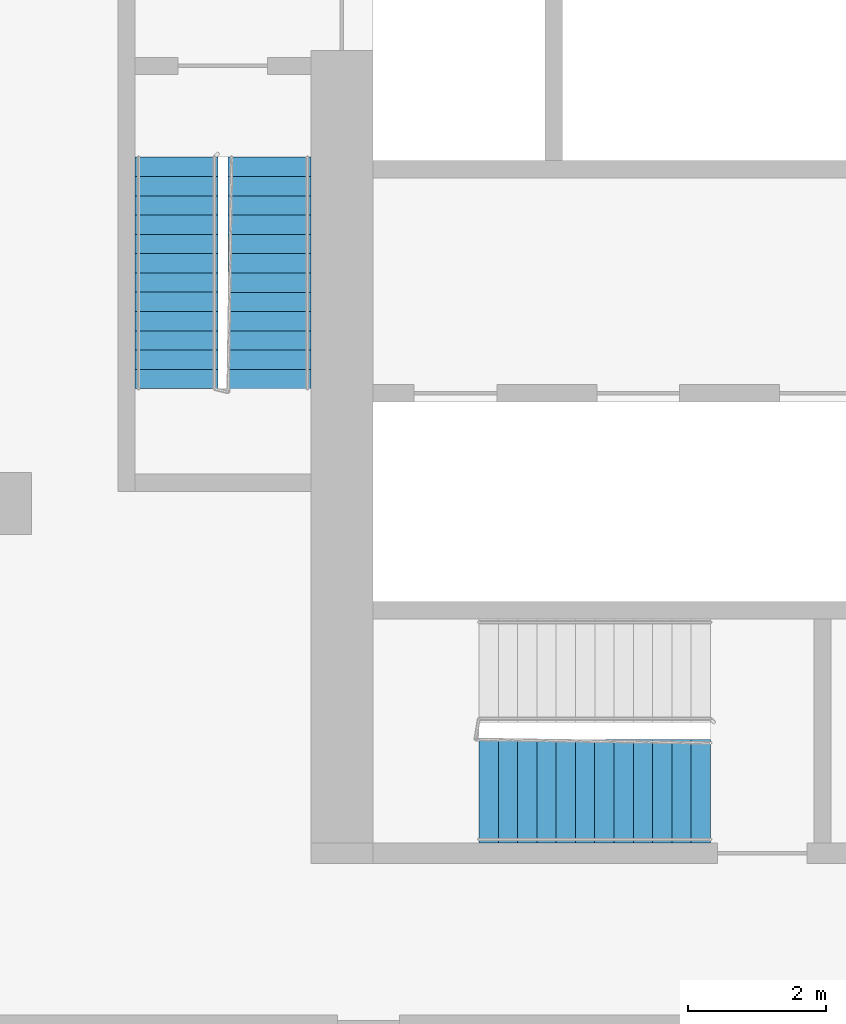
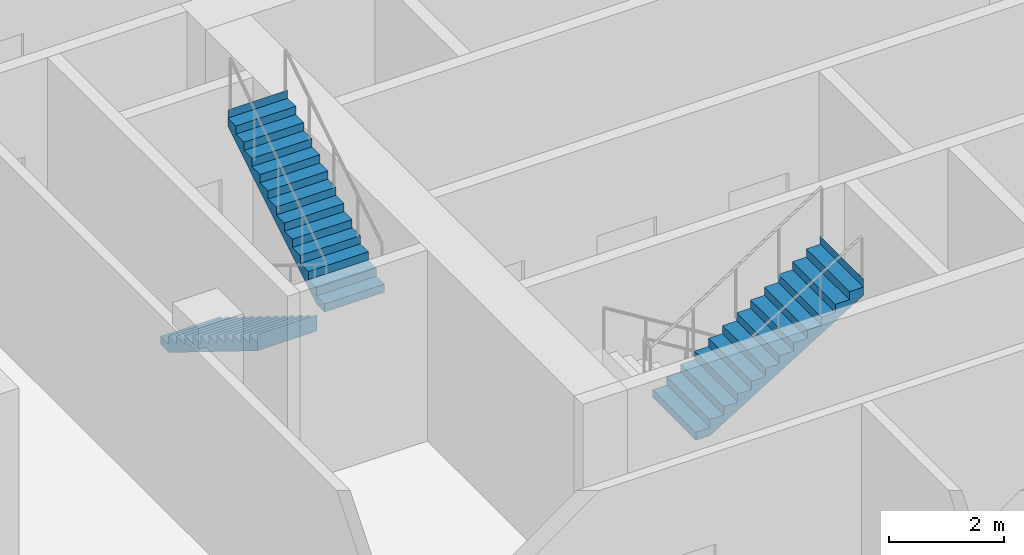
# One storey, part 12 of 19: 3 stair flights, 2 elements without a shape of their own.
"""IFC4 building model written with IfcOpenShell, lengths in metres."""

from ifc_helpers import new_model, si_unit, direction, frame, origin, place, context, subcontext, project, spatial, faceted_brep, material, type_object, element, aggregate, save


model = new_model("IFC4")

# Units and contexts
model_context = context("Model", 3, precision=1e-05, world=origin(), true_north=direction((0.0, 1.0)))
body_context = subcontext(model_context, "Body", "Model", "MODEL_VIEW")
ifc_project = project(units=[si_unit("LENGTHUNIT", "METRE"), si_unit("AREAUNIT", "SQUARE_METRE"), si_unit("VOLUMEUNIT", "CUBIC_METRE"), si_unit("PLANEANGLEUNIT", "RADIAN"), si_unit("MASSUNIT", "GRAM", prefix="KILO")], contexts=[model_context])

# Site, building, storey
site_placement = place(None, origin())
site = spatial("IfcSite", under=ifc_project, at=site_placement, CompositionType="ELEMENT")
building_placement = place(site_placement, origin())
building = spatial("IfcBuilding", under=site, at=building_placement, Name="Kajstack Hotel Tower", CompositionType="ELEMENT")
storey_placement = place(building_placement, frame((0.0, 0.0, 33.5)))
storey = spatial("IfcBuildingStorey", under=building, at=storey_placement, Name="L05", CompositionType="ELEMENT", Elevation=33.5)

# Stair, stair flights
ifc_material = material(Name="Concrete C40/50", Category="concrete")
stair_type_1 = type_object("IfcStairType", Name="Exit stair 1200", PredefinedType="HALF_TURN_STAIR", material=ifc_material)
stair_1_placement = place(storey_placement, origin())
stair_1 = element("IfcStair", 1, at=stair_1_placement, inside=storey, type_object=stair_type_1, Name="L05 stair W1", PredefinedType="HALF_TURN_STAIR")
stair_flight_type_1 = type_object("IfcStairFlightType", Name="Exit stair flight 1200", PredefinedType="STRAIGHT", material=ifc_material)
stair_flight_1_placement = place(storey_placement, frame((-33.449951171875, -5.25, 0.0), z_axis=(0.0, 0.0, 1.0), x_axis=(0.0, -1.0, 0.0)))
stair_flight_1 = element("IfcStairFlight", 2, at=stair_flight_1_placement, type_object=stair_flight_type_1, Name="W1 flight 1", NumberOfRisers=13, NumberOfTreads=12, PredefinedType="STRAIGHT", RiserHeight=0.173076923, TreadLength=0.28, context=body_context, shape_type="Brep", body=[
    faceted_brep([(0.28564453125, -0.60009765625, 0.0), (3.360595703125, -0.60009765625, 1.900634765625), (3.360595703125, -0.60009765625, 2.25), (3.360107421875, -0.60009765625, 2.25), (3.360107421875, -0.60009765625, 2.076904296875), (3.080078125, -0.60009765625, 2.076904296875), (3.080078125, -0.60009765625, 1.90380859375), (2.800048828125, -0.60009765625, 1.90380859375), (2.800048828125, -0.60009765625, 1.730712890625), (2.52001953125, -0.60009765625, 1.730712890625), (2.52001953125, -0.60009765625, 1.5576171875), (2.239990234375, -0.60009765625, 1.5576171875), (2.239990234375, -0.60009765625, 1.384521484375), (1.9599609375, -0.60009765625, 1.384521484375), (1.9599609375, -0.60009765625, 1.21142578125), (1.679931640625, -0.60009765625, 1.21142578125), (1.679931640625, -0.60009765625, 1.03857421875), (1.39990234375, -0.60009765625, 1.03857421875), (1.39990234375, -0.60009765625, 0.865478515625), (1.1201171875, -0.60009765625, 0.865478515625), (1.1201171875, -0.60009765625, 0.6923828125), (0.840087890625, -0.60009765625, 0.6923828125), (0.840087890625, -0.60009765625, 0.519287109375), (0.56005859375, -0.60009765625, 0.519287109375), (0.56005859375, -0.60009765625, 0.34619140625), (0.280029296875, -0.60009765625, 0.34619140625), (0.280029296875, -0.60009765625, 0.173095703125), (-0.00048828125, -0.60009765625, 0.173095703125), (-0.00048828125, -0.60009765625, 0.0), (-0.00048828125, 0.60009765625, 0.0), (-0.00048828125, 0.60009765625, 0.173095703125), (0.280029296875, 0.60009765625, 0.173095703125), (0.280029296875, 0.60009765625, 0.34619140625), (0.56005859375, 0.60009765625, 0.34619140625), (0.56005859375, 0.60009765625, 0.519287109375), (0.840087890625, 0.60009765625, 0.519287109375), (0.840087890625, 0.60009765625, 0.6923828125), (1.1201171875, 0.60009765625, 0.6923828125), (1.1201171875, 0.60009765625, 0.865478515625), (1.39990234375, 0.60009765625, 0.865478515625), (1.39990234375, 0.60009765625, 1.03857421875), (1.679931640625, 0.60009765625, 1.03857421875), (1.679931640625, 0.60009765625, 1.21142578125), (1.9599609375, 0.60009765625, 1.21142578125), (1.9599609375, 0.60009765625, 1.384521484375), (2.239990234375, 0.60009765625, 1.384521484375), (2.239990234375, 0.60009765625, 1.5576171875), (2.52001953125, 0.60009765625, 1.5576171875), (2.52001953125, 0.60009765625, 1.730712890625), (2.800048828125, 0.60009765625, 1.730712890625), (2.800048828125, 0.60009765625, 1.90380859375), (3.080078125, 0.60009765625, 1.90380859375), (3.080078125, 0.60009765625, 2.076904296875), (3.360107421875, 0.60009765625, 2.076904296875), (3.360107421875, 0.60009765625, 2.25), (3.360595703125, 0.60009765625, 2.25), (3.360595703125, 0.60009765625, 1.900634765625), (0.28564453125, 0.60009765625, 0.0), (-0.00048828125, -0.300048828125, 0.173095703125), (-0.00048828125, 0.0, 0.173095703125), (-0.00048828125, 0.300048828125, 0.173095703125), (-0.00048828125, 0.300048828125, 0.0), (-0.00048828125, 0.0, 0.0), (-0.00048828125, -0.300048828125, 0.0), (0.280029296875, -0.300048828125, 0.173095703125), (0.280029296875, 0.0, 0.173095703125), (0.280029296875, 0.300048828125, 0.173095703125), (0.280029296875, -0.300048828125, 0.34619140625), (0.280029296875, 0.0, 0.34619140625), (0.280029296875, 0.300048828125, 0.34619140625), (0.56005859375, -0.300048828125, 0.34619140625), (0.56005859375, 0.0, 0.34619140625), (0.56005859375, 0.300048828125, 0.34619140625), (0.56005859375, -0.300048828125, 0.519287109375), (0.56005859375, 0.0, 0.519287109375), (0.56005859375, 0.300048828125, 0.519287109375), (0.840087890625, -0.300048828125, 0.519287109375), (0.840087890625, 0.0, 0.519287109375), (0.840087890625, 0.300048828125, 0.519287109375), (0.840087890625, -0.300048828125, 0.6923828125), (0.840087890625, 0.0, 0.6923828125), (0.840087890625, 0.300048828125, 0.6923828125), (1.1201171875, -0.300048828125, 0.6923828125), (1.1201171875, 0.0, 0.6923828125), (1.1201171875, 0.300048828125, 0.6923828125), (1.1201171875, -0.300048828125, 0.865478515625), (1.1201171875, 0.0, 0.865478515625), (1.1201171875, 0.300048828125, 0.865478515625), (1.39990234375, -0.300048828125, 0.865478515625), (1.39990234375, 0.0, 0.865478515625), (1.39990234375, 0.300048828125, 0.865478515625), (1.39990234375, -0.300048828125, 1.03857421875), (1.39990234375, 0.0, 1.03857421875), (1.39990234375, 0.300048828125, 1.03857421875), (1.679931640625, -0.300048828125, 1.03857421875), (1.679931640625, 0.0, 1.03857421875), (1.679931640625, 0.300048828125, 1.03857421875), (1.679931640625, -0.300048828125, 1.21142578125), (1.679931640625, 0.0, 1.21142578125), (1.679931640625, 0.300048828125, 1.21142578125), (1.9599609375, -0.300048828125, 1.21142578125), (1.9599609375, 0.0, 1.21142578125), (1.9599609375, 0.300048828125, 1.21142578125), (1.9599609375, -0.300048828125, 1.384521484375), (1.9599609375, 0.0, 1.384521484375), (1.9599609375, 0.300048828125, 1.384521484375), (2.239990234375, -0.300048828125, 1.384521484375), (2.239990234375, 0.0, 1.384521484375), (2.239990234375, 0.300048828125, 1.384521484375), (2.239990234375, -0.300048828125, 1.5576171875), (2.239990234375, 0.0, 1.5576171875), (2.239990234375, 0.300048828125, 1.5576171875), (2.52001953125, -0.300048828125, 1.5576171875), (2.52001953125, 0.0, 1.5576171875), (2.52001953125, 0.300048828125, 1.5576171875), (2.52001953125, -0.300048828125, 1.730712890625), (2.52001953125, 0.0, 1.730712890625), (2.52001953125, 0.300048828125, 1.730712890625), (2.800048828125, -0.300048828125, 1.730712890625), (2.800048828125, 0.0, 1.730712890625), (2.800048828125, 0.300048828125, 1.730712890625), (2.800048828125, -0.300048828125, 1.90380859375), (2.800048828125, 0.0, 1.90380859375), (2.800048828125, 0.300048828125, 1.90380859375), (3.080078125, -0.300048828125, 1.90380859375), (3.080078125, 0.0, 1.90380859375), (3.080078125, 0.300048828125, 1.90380859375), (3.080078125, -0.300048828125, 2.076904296875), (3.080078125, 0.0, 2.076904296875), (3.080078125, 0.300048828125, 2.076904296875), (3.360107421875, -0.300048828125, 2.076904296875), (3.360107421875, 0.0, 2.076904296875), (3.360107421875, 0.300048828125, 2.076904296875), (3.360107421875, -0.300048828125, 2.25), (3.360107421875, 0.0, 2.25), (3.360107421875, 0.300048828125, 2.25), (3.360595703125, -0.300048828125, 2.25), (3.360595703125, 0.0, 2.25), (3.360595703125, 0.300048828125, 2.25), (3.360595703125, -0.300048828125, 1.900634765625), (3.360595703125, 0.0, 1.900634765625), (3.360595703125, 0.300048828125, 1.900634765625), (0.28564453125, -0.300048828125, 0.0), (0.28564453125, 0.0, 0.0), (0.28564453125, 0.300048828125, 0.0)], [[[0, 1, 2, 3, 4, 5, 6, 7, 8, 9, 10, 11, 12, 13, 14, 15, 16, 17, 18, 19, 20, 21, 22, 23, 24, 25, 26, 27, 28]], [[29, 30, 31, 32, 33, 34, 35, 36, 37, 38, 39, 40, 41, 42, 43, 44, 45, 46, 47, 48, 49, 50, 51, 52, 53, 54, 55, 56, 57]], [[27, 58, 59, 60, 30, 29, 61, 62, 63, 28]], [[26, 64, 65, 66, 31, 30, 60, 59, 58, 27]], [[25, 67, 68, 69, 32, 31, 66, 65, 64, 26]], [[24, 70, 71, 72, 33, 32, 69, 68, 67, 25]], [[23, 73, 74, 75, 34, 33, 72, 71, 70, 24]], [[22, 76, 77, 78, 35, 34, 75, 74, 73, 23]], [[21, 79, 80, 81, 36, 35, 78, 77, 76, 22]], [[20, 82, 83, 84, 37, 36, 81, 80, 79, 21]], [[19, 85, 86, 87, 38, 37, 84, 83, 82, 20]], [[18, 88, 89, 90, 39, 38, 87, 86, 85, 19]], [[17, 91, 92, 93, 40, 39, 90, 89, 88, 18]], [[16, 94, 95, 96, 41, 40, 93, 92, 91, 17]], [[15, 97, 98, 99, 42, 41, 96, 95, 94, 16]], [[14, 100, 101, 102, 43, 42, 99, 98, 97, 15]], [[13, 103, 104, 105, 44, 43, 102, 101, 100, 14]], [[12, 106, 107, 108, 45, 44, 105, 104, 103, 13]], [[11, 109, 110, 111, 46, 45, 108, 107, 106, 12]], [[10, 112, 113, 114, 47, 46, 111, 110, 109, 11]], [[9, 115, 116, 117, 48, 47, 114, 113, 112, 10]], [[8, 118, 119, 120, 49, 48, 117, 116, 115, 9]], [[7, 121, 122, 123, 50, 49, 120, 119, 118, 8]], [[6, 124, 125, 126, 51, 50, 123, 122, 121, 7]], [[5, 127, 128, 129, 52, 51, 126, 125, 124, 6]], [[4, 130, 131, 132, 53, 52, 129, 128, 127, 5]], [[3, 133, 134, 135, 54, 53, 132, 131, 130, 4]], [[2, 136, 137, 138, 55, 54, 135, 134, 133, 3]], [[1, 139, 140, 141, 56, 55, 138, 137, 136, 2]], [[0, 142, 143, 144, 57, 56, 141, 140, 139, 1]], [[28, 63, 62, 61, 29, 57, 144, 143, 142, 0]]]),
])
stair_flight_2_placement = place(storey_placement, frame((-32.10009765625, -8.610107421875, 2.25), z_axis=(0.0, 0.0, 1.0), x_axis=(0.0, 1.0, 0.0)))
stair_flight_2 = element("IfcStairFlight", 3, at=stair_flight_2_placement, type_object=stair_flight_type_1, Name="W1 flight 2", NumberOfRisers=13, NumberOfTreads=12, PredefinedType="STRAIGHT", RiserHeight=0.173076923, TreadLength=0.28, context=body_context, shape_type="Brep", body=[
    faceted_brep([(0.28564453125, -0.60009765625, 0.0), (3.360595703125, -0.60009765625, 1.900634765625), (3.360595703125, -0.60009765625, 2.25), (3.360107421875, -0.60009765625, 2.25), (3.360107421875, -0.60009765625, 2.076904296875), (3.080078125, -0.60009765625, 2.076904296875), (3.080078125, -0.60009765625, 1.90380859375), (2.800048828125, -0.60009765625, 1.90380859375), (2.800048828125, -0.60009765625, 1.730712890625), (2.52001953125, -0.60009765625, 1.730712890625), (2.52001953125, -0.60009765625, 1.5576171875), (2.239990234375, -0.60009765625, 1.5576171875), (2.239990234375, -0.60009765625, 1.384521484375), (1.9599609375, -0.60009765625, 1.384521484375), (1.9599609375, -0.60009765625, 1.21142578125), (1.679931640625, -0.60009765625, 1.21142578125), (1.679931640625, -0.60009765625, 1.03857421875), (1.39990234375, -0.60009765625, 1.03857421875), (1.39990234375, -0.60009765625, 0.865478515625), (1.1201171875, -0.60009765625, 0.865478515625), (1.1201171875, -0.60009765625, 0.6923828125), (0.840087890625, -0.60009765625, 0.6923828125), (0.840087890625, -0.60009765625, 0.519287109375), (0.56005859375, -0.60009765625, 0.519287109375), (0.56005859375, -0.60009765625, 0.34619140625), (0.280029296875, -0.60009765625, 0.34619140625), (0.280029296875, -0.60009765625, 0.173095703125), (-0.00048828125, -0.60009765625, 0.173095703125), (-0.00048828125, -0.60009765625, 0.0), (-0.00048828125, 0.60009765625, 0.0), (-0.00048828125, 0.60009765625, 0.173095703125), (0.280029296875, 0.60009765625, 0.173095703125), (0.280029296875, 0.60009765625, 0.34619140625), (0.56005859375, 0.60009765625, 0.34619140625), (0.56005859375, 0.60009765625, 0.519287109375), (0.840087890625, 0.60009765625, 0.519287109375), (0.840087890625, 0.60009765625, 0.6923828125), (1.1201171875, 0.60009765625, 0.6923828125), (1.1201171875, 0.60009765625, 0.865478515625), (1.39990234375, 0.60009765625, 0.865478515625), (1.39990234375, 0.60009765625, 1.03857421875), (1.679931640625, 0.60009765625, 1.03857421875), (1.679931640625, 0.60009765625, 1.21142578125), (1.9599609375, 0.60009765625, 1.21142578125), (1.9599609375, 0.60009765625, 1.384521484375), (2.239990234375, 0.60009765625, 1.384521484375), (2.239990234375, 0.60009765625, 1.5576171875), (2.52001953125, 0.60009765625, 1.5576171875), (2.52001953125, 0.60009765625, 1.730712890625), (2.800048828125, 0.60009765625, 1.730712890625), (2.800048828125, 0.60009765625, 1.90380859375), (3.080078125, 0.60009765625, 1.90380859375), (3.080078125, 0.60009765625, 2.076904296875), (3.360107421875, 0.60009765625, 2.076904296875), (3.360107421875, 0.60009765625, 2.25), (3.360595703125, 0.60009765625, 2.25), (3.360595703125, 0.60009765625, 1.900634765625), (0.28564453125, 0.60009765625, 0.0), (-0.00048828125, -0.300048828125, 0.173095703125), (-0.00048828125, 0.0, 0.173095703125), (-0.00048828125, 0.300048828125, 0.173095703125), (-0.00048828125, 0.300048828125, 0.0), (-0.00048828125, 0.0, 0.0), (-0.00048828125, -0.300048828125, 0.0), (0.280029296875, -0.300048828125, 0.173095703125), (0.280029296875, 0.0, 0.173095703125), (0.280029296875, 0.300048828125, 0.173095703125), (0.280029296875, -0.300048828125, 0.34619140625), (0.280029296875, 0.0, 0.34619140625), (0.280029296875, 0.300048828125, 0.34619140625), (0.56005859375, -0.300048828125, 0.34619140625), (0.56005859375, 0.0, 0.34619140625), (0.56005859375, 0.300048828125, 0.34619140625), (0.56005859375, -0.300048828125, 0.519287109375), (0.56005859375, 0.0, 0.519287109375), (0.56005859375, 0.300048828125, 0.519287109375), (0.840087890625, -0.300048828125, 0.519287109375), (0.840087890625, 0.0, 0.519287109375), (0.840087890625, 0.300048828125, 0.519287109375), (0.840087890625, -0.300048828125, 0.6923828125), (0.840087890625, 0.0, 0.6923828125), (0.840087890625, 0.300048828125, 0.6923828125), (1.1201171875, -0.300048828125, 0.6923828125), (1.1201171875, 0.0, 0.6923828125), (1.1201171875, 0.300048828125, 0.6923828125), (1.1201171875, -0.300048828125, 0.865478515625), (1.1201171875, 0.0, 0.865478515625), (1.1201171875, 0.300048828125, 0.865478515625), (1.39990234375, -0.300048828125, 0.865478515625), (1.39990234375, 0.0, 0.865478515625), (1.39990234375, 0.300048828125, 0.865478515625), (1.39990234375, -0.300048828125, 1.03857421875), (1.39990234375, 0.0, 1.03857421875), (1.39990234375, 0.300048828125, 1.03857421875), (1.679931640625, -0.300048828125, 1.03857421875), (1.679931640625, 0.0, 1.03857421875), (1.679931640625, 0.300048828125, 1.03857421875), (1.679931640625, -0.300048828125, 1.21142578125), (1.679931640625, 0.0, 1.21142578125), (1.679931640625, 0.300048828125, 1.21142578125), (1.9599609375, -0.300048828125, 1.21142578125), (1.9599609375, 0.0, 1.21142578125), (1.9599609375, 0.300048828125, 1.21142578125), (1.9599609375, -0.300048828125, 1.384521484375), (1.9599609375, 0.0, 1.384521484375), (1.9599609375, 0.300048828125, 1.384521484375), (2.239990234375, -0.300048828125, 1.384521484375), (2.239990234375, 0.0, 1.384521484375), (2.239990234375, 0.300048828125, 1.384521484375), (2.239990234375, -0.300048828125, 1.5576171875), (2.239990234375, 0.0, 1.5576171875), (2.239990234375, 0.300048828125, 1.5576171875), (2.52001953125, -0.300048828125, 1.5576171875), (2.52001953125, 0.0, 1.5576171875), (2.52001953125, 0.300048828125, 1.5576171875), (2.52001953125, -0.300048828125, 1.730712890625), (2.52001953125, 0.0, 1.730712890625), (2.52001953125, 0.300048828125, 1.730712890625), (2.800048828125, -0.300048828125, 1.730712890625), (2.800048828125, 0.0, 1.730712890625), (2.800048828125, 0.300048828125, 1.730712890625), (2.800048828125, -0.300048828125, 1.90380859375), (2.800048828125, 0.0, 1.90380859375), (2.800048828125, 0.300048828125, 1.90380859375), (3.080078125, -0.300048828125, 1.90380859375), (3.080078125, 0.0, 1.90380859375), (3.080078125, 0.300048828125, 1.90380859375), (3.080078125, -0.300048828125, 2.076904296875), (3.080078125, 0.0, 2.076904296875), (3.080078125, 0.300048828125, 2.076904296875), (3.360107421875, -0.300048828125, 2.076904296875), (3.360107421875, 0.0, 2.076904296875), (3.360107421875, 0.300048828125, 2.076904296875), (3.360107421875, -0.300048828125, 2.25), (3.360107421875, 0.0, 2.25), (3.360107421875, 0.300048828125, 2.25), (3.360595703125, -0.300048828125, 2.25), (3.360595703125, 0.0, 2.25), (3.360595703125, 0.300048828125, 2.25), (3.360595703125, -0.300048828125, 1.900634765625), (3.360595703125, 0.0, 1.900634765625), (3.360595703125, 0.300048828125, 1.900634765625), (0.28564453125, -0.300048828125, 0.0), (0.28564453125, 0.0, 0.0), (0.28564453125, 0.300048828125, 0.0)], [[[0, 1, 2, 3, 4, 5, 6, 7, 8, 9, 10, 11, 12, 13, 14, 15, 16, 17, 18, 19, 20, 21, 22, 23, 24, 25, 26, 27, 28]], [[29, 30, 31, 32, 33, 34, 35, 36, 37, 38, 39, 40, 41, 42, 43, 44, 45, 46, 47, 48, 49, 50, 51, 52, 53, 54, 55, 56, 57]], [[27, 58, 59, 60, 30, 29, 61, 62, 63, 28]], [[26, 64, 65, 66, 31, 30, 60, 59, 58, 27]], [[25, 67, 68, 69, 32, 31, 66, 65, 64, 26]], [[24, 70, 71, 72, 33, 32, 69, 68, 67, 25]], [[23, 73, 74, 75, 34, 33, 72, 71, 70, 24]], [[22, 76, 77, 78, 35, 34, 75, 74, 73, 23]], [[21, 79, 80, 81, 36, 35, 78, 77, 76, 22]], [[20, 82, 83, 84, 37, 36, 81, 80, 79, 21]], [[19, 85, 86, 87, 38, 37, 84, 83, 82, 20]], [[18, 88, 89, 90, 39, 38, 87, 86, 85, 19]], [[17, 91, 92, 93, 40, 39, 90, 89, 88, 18]], [[16, 94, 95, 96, 41, 40, 93, 92, 91, 17]], [[15, 97, 98, 99, 42, 41, 96, 95, 94, 16]], [[14, 100, 101, 102, 43, 42, 99, 98, 97, 15]], [[13, 103, 104, 105, 44, 43, 102, 101, 100, 14]], [[12, 106, 107, 108, 45, 44, 105, 104, 103, 13]], [[11, 109, 110, 111, 46, 45, 108, 107, 106, 12]], [[10, 112, 113, 114, 47, 46, 111, 110, 109, 11]], [[9, 115, 116, 117, 48, 47, 114, 113, 112, 10]], [[8, 118, 119, 120, 49, 48, 117, 116, 115, 9]], [[7, 121, 122, 123, 50, 49, 120, 119, 118, 8]], [[6, 124, 125, 126, 51, 50, 123, 122, 121, 7]], [[5, 127, 128, 129, 52, 51, 126, 125, 124, 6]], [[4, 130, 131, 132, 53, 52, 129, 128, 127, 5]], [[3, 133, 134, 135, 54, 53, 132, 131, 130, 4]], [[2, 136, 137, 138, 55, 54, 135, 134, 133, 3]], [[1, 139, 140, 141, 56, 55, 138, 137, 136, 2]], [[0, 142, 143, 144, 57, 56, 141, 140, 139, 1]], [[28, 63, 62, 61, 29, 57, 144, 143, 142, 0]]]),
])
aggregate(stair_1, [stair_flight_1, stair_flight_2])

# Stair, stair flight
stair_type_2 = type_object("IfcStairType", Name="Exit stair 1500", PredefinedType="HALF_TURN_STAIR", material=ifc_material)
stair_2_placement = place(storey_placement, origin())
stair_2 = element("IfcStair", 4, at=stair_2_placement, inside=storey, type_object=stair_type_2, Name="L05 stair W3", PredefinedType="HALF_TURN_STAIR")
stair_flight_type_2 = type_object("IfcStairFlightType", Name="Exit stair flight 1500", PredefinedType="STRAIGHT", material=ifc_material)
stair_flight_3_placement = place(storey_placement, frame((-29.06005859375, -14.449951171875, 2.25), z_axis=(0.0, 0.0, 1.0), x_axis=(1.0, 0.0, 0.0)))
stair_flight_3 = element("IfcStairFlight", 5, at=stair_flight_3_placement, type_object=stair_flight_type_2, Name="W3 flight 2", NumberOfRisers=13, NumberOfTreads=12, PredefinedType="STRAIGHT", RiserHeight=0.173076923, TreadLength=0.28, context=body_context, shape_type="Brep", body=[
    faceted_brep([(0.28564453125, -0.75, 0.0), (3.360595703125, -0.75, 1.900634765625), (3.360595703125, -0.75, 2.25), (3.360107421875, -0.75, 2.25), (3.360107421875, -0.75, 2.076904296875), (3.080078125, -0.75, 2.076904296875), (3.080078125, -0.75, 1.90380859375), (2.800048828125, -0.75, 1.90380859375), (2.800048828125, -0.75, 1.730712890625), (2.52001953125, -0.75, 1.730712890625), (2.52001953125, -0.75, 1.5576171875), (2.239990234375, -0.75, 1.5576171875), (2.239990234375, -0.75, 1.384521484375), (1.9599609375, -0.75, 1.384521484375), (1.9599609375, -0.75, 1.21142578125), (1.679931640625, -0.75, 1.21142578125), (1.679931640625, -0.75, 1.03857421875), (1.39990234375, -0.75, 1.03857421875), (1.39990234375, -0.75, 0.865478515625), (1.1201171875, -0.75, 0.865478515625), (1.1201171875, -0.75, 0.6923828125), (0.840087890625, -0.75, 0.6923828125), (0.840087890625, -0.75, 0.519287109375), (0.56005859375, -0.75, 0.519287109375), (0.56005859375, -0.75, 0.34619140625), (0.280029296875, -0.75, 0.34619140625), (0.280029296875, -0.75, 0.173095703125), (-0.00048828125, -0.75, 0.173095703125), (-0.00048828125, -0.75, 0.0), (-0.00048828125, 0.75, 0.0), (-0.00048828125, 0.75, 0.173095703125), (0.280029296875, 0.75, 0.173095703125), (0.280029296875, 0.75, 0.34619140625), (0.56005859375, 0.75, 0.34619140625), (0.56005859375, 0.75, 0.519287109375), (0.840087890625, 0.75, 0.519287109375), (0.840087890625, 0.75, 0.6923828125), (1.1201171875, 0.75, 0.6923828125), (1.1201171875, 0.75, 0.865478515625), (1.39990234375, 0.75, 0.865478515625), (1.39990234375, 0.75, 1.03857421875), (1.679931640625, 0.75, 1.03857421875), (1.679931640625, 0.75, 1.21142578125), (1.9599609375, 0.75, 1.21142578125), (1.9599609375, 0.75, 1.384521484375), (2.239990234375, 0.75, 1.384521484375), (2.239990234375, 0.75, 1.5576171875), (2.52001953125, 0.75, 1.5576171875), (2.52001953125, 0.75, 1.730712890625), (2.800048828125, 0.75, 1.730712890625), (2.800048828125, 0.75, 1.90380859375), (3.080078125, 0.75, 1.90380859375), (3.080078125, 0.75, 2.076904296875), (3.360107421875, 0.75, 2.076904296875), (3.360107421875, 0.75, 2.25), (3.360595703125, 0.75, 2.25), (3.360595703125, 0.75, 1.900634765625), (0.28564453125, 0.75, 0.0), (-0.00048828125, -0.375, 0.173095703125), (-0.00048828125, 0.0, 0.173095703125), (-0.00048828125, 0.375, 0.173095703125), (-0.00048828125, 0.375, 0.0), (-0.00048828125, 0.0, 0.0), (-0.00048828125, -0.375, 0.0), (0.280029296875, -0.375, 0.173095703125), (0.280029296875, 0.0, 0.173095703125), (0.280029296875, 0.375, 0.173095703125), (0.280029296875, -0.375, 0.34619140625), (0.280029296875, 0.0, 0.34619140625), (0.280029296875, 0.375, 0.34619140625), (0.56005859375, -0.375, 0.34619140625), (0.56005859375, 0.0, 0.34619140625), (0.56005859375, 0.375, 0.34619140625), (0.56005859375, -0.375, 0.519287109375), (0.56005859375, 0.0, 0.519287109375), (0.56005859375, 0.375, 0.519287109375), (0.840087890625, -0.375, 0.519287109375), (0.840087890625, 0.0, 0.519287109375), (0.840087890625, 0.375, 0.519287109375), (0.840087890625, -0.375, 0.6923828125), (0.840087890625, 0.0, 0.6923828125), (0.840087890625, 0.375, 0.6923828125), (1.1201171875, -0.375, 0.6923828125), (1.1201171875, 0.0, 0.6923828125), (1.1201171875, 0.375, 0.6923828125), (1.1201171875, -0.375, 0.865478515625), (1.1201171875, 0.0, 0.865478515625), (1.1201171875, 0.375, 0.865478515625), (1.39990234375, -0.375, 0.865478515625), (1.39990234375, 0.0, 0.865478515625), (1.39990234375, 0.375, 0.865478515625), (1.39990234375, -0.375, 1.03857421875), (1.39990234375, 0.0, 1.03857421875), (1.39990234375, 0.375, 1.03857421875), (1.679931640625, -0.375, 1.03857421875), (1.679931640625, 0.0, 1.03857421875), (1.679931640625, 0.375, 1.03857421875), (1.679931640625, -0.375, 1.21142578125), (1.679931640625, 0.0, 1.21142578125), (1.679931640625, 0.375, 1.21142578125), (1.9599609375, -0.375, 1.21142578125), (1.9599609375, 0.0, 1.21142578125), (1.9599609375, 0.375, 1.21142578125), (1.9599609375, -0.375, 1.384521484375), (1.9599609375, 0.0, 1.384521484375), (1.9599609375, 0.375, 1.384521484375), (2.239990234375, -0.375, 1.384521484375), (2.239990234375, 0.0, 1.384521484375), (2.239990234375, 0.375, 1.384521484375), (2.239990234375, -0.375, 1.5576171875), (2.239990234375, 0.0, 1.5576171875), (2.239990234375, 0.375, 1.5576171875), (2.52001953125, -0.375, 1.5576171875), (2.52001953125, 0.0, 1.5576171875), (2.52001953125, 0.375, 1.5576171875), (2.52001953125, -0.375, 1.730712890625), (2.52001953125, 0.0, 1.730712890625), (2.52001953125, 0.375, 1.730712890625), (2.800048828125, -0.375, 1.730712890625), (2.800048828125, 0.0, 1.730712890625), (2.800048828125, 0.375, 1.730712890625), (2.800048828125, -0.375, 1.90380859375), (2.800048828125, 0.0, 1.90380859375), (2.800048828125, 0.375, 1.90380859375), (3.080078125, -0.375, 1.90380859375), (3.080078125, 0.0, 1.90380859375), (3.080078125, 0.375, 1.90380859375), (3.080078125, -0.375, 2.076904296875), (3.080078125, 0.0, 2.076904296875), (3.080078125, 0.375, 2.076904296875), (3.360107421875, -0.375, 2.076904296875), (3.360107421875, 0.0, 2.076904296875), (3.360107421875, 0.375, 2.076904296875), (3.360107421875, -0.375, 2.25), (3.360107421875, 0.0, 2.25), (3.360107421875, 0.375, 2.25), (3.360595703125, -0.375, 2.25), (3.360595703125, 0.0, 2.25), (3.360595703125, 0.375, 2.25), (3.360595703125, -0.375, 1.900634765625), (3.360595703125, 0.0, 1.900634765625), (3.360595703125, 0.375, 1.900634765625), (0.28564453125, -0.375, 0.0), (0.28564453125, 0.0, 0.0), (0.28564453125, 0.375, 0.0)], [[[0, 1, 2, 3, 4, 5, 6, 7, 8, 9, 10, 11, 12, 13, 14, 15, 16, 17, 18, 19, 20, 21, 22, 23, 24, 25, 26, 27, 28]], [[29, 30, 31, 32, 33, 34, 35, 36, 37, 38, 39, 40, 41, 42, 43, 44, 45, 46, 47, 48, 49, 50, 51, 52, 53, 54, 55, 56, 57]], [[27, 58, 59, 60, 30, 29, 61, 62, 63, 28]], [[26, 64, 65, 66, 31, 30, 60, 59, 58, 27]], [[25, 67, 68, 69, 32, 31, 66, 65, 64, 26]], [[24, 70, 71, 72, 33, 32, 69, 68, 67, 25]], [[23, 73, 74, 75, 34, 33, 72, 71, 70, 24]], [[22, 76, 77, 78, 35, 34, 75, 74, 73, 23]], [[21, 79, 80, 81, 36, 35, 78, 77, 76, 22]], [[20, 82, 83, 84, 37, 36, 81, 80, 79, 21]], [[19, 85, 86, 87, 38, 37, 84, 83, 82, 20]], [[18, 88, 89, 90, 39, 38, 87, 86, 85, 19]], [[17, 91, 92, 93, 40, 39, 90, 89, 88, 18]], [[16, 94, 95, 96, 41, 40, 93, 92, 91, 17]], [[15, 97, 98, 99, 42, 41, 96, 95, 94, 16]], [[14, 100, 101, 102, 43, 42, 99, 98, 97, 15]], [[13, 103, 104, 105, 44, 43, 102, 101, 100, 14]], [[12, 106, 107, 108, 45, 44, 105, 104, 103, 13]], [[11, 109, 110, 111, 46, 45, 108, 107, 106, 12]], [[10, 112, 113, 114, 47, 46, 111, 110, 109, 11]], [[9, 115, 116, 117, 48, 47, 114, 113, 112, 10]], [[8, 118, 119, 120, 49, 48, 117, 116, 115, 9]], [[7, 121, 122, 123, 50, 49, 120, 119, 118, 8]], [[6, 124, 125, 126, 51, 50, 123, 122, 121, 7]], [[5, 127, 128, 129, 52, 51, 126, 125, 124, 6]], [[4, 130, 131, 132, 53, 52, 129, 128, 127, 5]], [[3, 133, 134, 135, 54, 53, 132, 131, 130, 4]], [[2, 136, 137, 138, 55, 54, 135, 134, 133, 3]], [[1, 139, 140, 141, 56, 55, 138, 137, 136, 2]], [[0, 142, 143, 144, 57, 56, 141, 140, 139, 1]], [[28, 63, 62, 61, 29, 57, 144, 143, 142, 0]]]),
])
aggregate(stair_2, [stair_flight_3])

save(model, "model.ifc")
